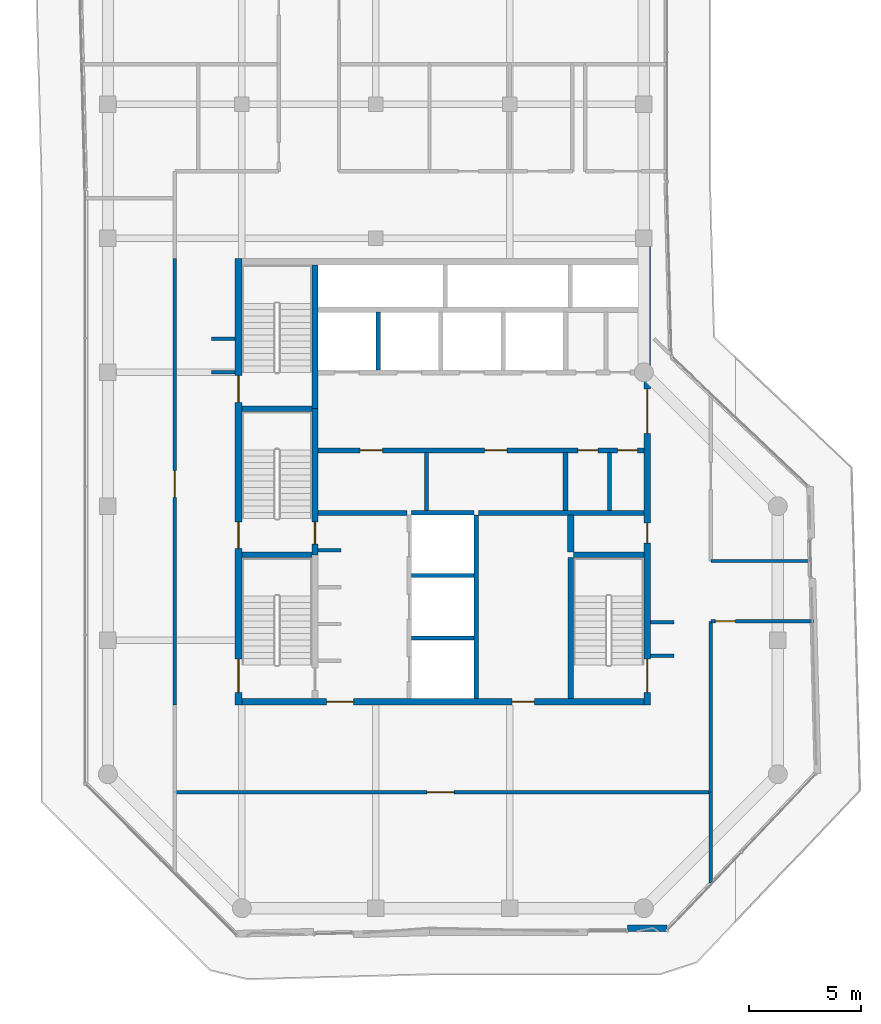
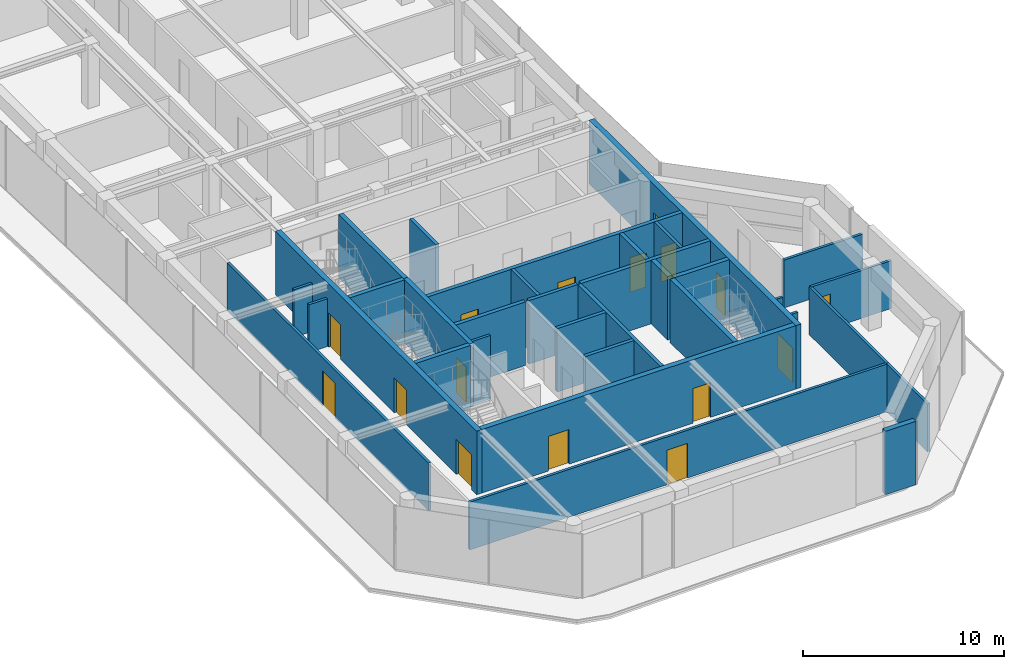
# One storey, part 16 of 20: 33 walls, 16 doors, 16 openings.
"""IFC4 building model written with IfcOpenShell, lengths in metres."""

from ifc_helpers import new_model, si_unit, direction, frame, frame_2d, origin, place, context, subcontext, project, spatial, rectangle, extrude, material, layer, layer_set, type_object, element, fill, save


model = new_model("IFC4")

# Units and contexts
model_context = context("Model", 3, precision=1e-05, world=origin(), true_north=direction((0.0, 1.0)))
body_context = subcontext(model_context, "Body", "Model", "MODEL_VIEW")
ifc_project = project(units=[si_unit("LENGTHUNIT", "METRE"), si_unit("AREAUNIT", "SQUARE_METRE"), si_unit("VOLUMEUNIT", "CUBIC_METRE"), si_unit("PLANEANGLEUNIT", "RADIAN"), si_unit("MASSUNIT", "GRAM", prefix="KILO")], contexts=[model_context])

# Site, building, storey
site_placement = place(None, origin())
site = spatial("IfcSite", under=ifc_project, at=site_placement, CompositionType="ELEMENT")
building_placement = place(site_placement, origin())
building = spatial("IfcBuilding", under=site, at=building_placement, Name="Welwitschia Terrace Campus", CompositionType="ELEMENT")
storey_placement = place(building_placement, frame((0.0, 0.0, 293.60009765625)))
storey = spatial("IfcBuildingStorey", under=building, at=storey_placement, Name="L65", CompositionType="ELEMENT", Elevation=293.60009765625)

# Walls
ifc_material_1 = material(Name="Concrete C32/40", Category="concrete")
ifc_layer_1 = layer(ifc_material_1, 0.175048828125)
ifc_layer_set_1 = layer_set([ifc_layer_1], Name="Concrete C32/40")
wall_type_1 = type_object("IfcWallType", Name="Core partition 175 Concrete C32/40", PredefinedType="PARTITIONING", material=ifc_layer_set_1)
for number, where, z_axis, x_axis, name in (
    (1, (14.27490234375, 13.800048828125, 0.0), (0.0, 0.0, 1.0), (0.0, 1.0, 0.0), "Core partition"),
    (2, (22.469970703125, 13.800048828125, 0.0), (0.0, 0.0, 1.0), (0.0, 1.0, 0.0), "Core partition"),
):
    element("IfcWall", number, at=place(storey_placement, frame(where, z_axis=z_axis, x_axis=x_axis)), inside=storey, type_object=wall_type_1, Name=name, PredefinedType="PARTITIONING", context=body_context, shape_type="SweptSolid", body=[
        extrude(rectangle(XDim=2.599853515625, YDim=0.175048828125, at=frame_2d((1.2998046875, 0.0))), origin(), (0.0, 0.0, 1.0), 3.849853515625),
    ])
ifc_material_2 = material(Name="Concrete C32/40", Category="concrete")
ifc_layer_2 = layer(ifc_material_2, 0.22509765625)
ifc_layer_set_2 = layer_set([ifc_layer_2], Name="Concrete C32/40")
wall_type_2 = type_object("IfcWallType", Name="Core partition 225 Concrete C32/40", PredefinedType="PARTITIONING", material=ifc_layer_set_2)
wall_1_placement = place(storey_placement, frame((9.39990234375, 13.699951171875, 0.0), z_axis=(0.0, 0.0, 1.0), x_axis=(1.0, 0.0, 0.0)))
element("IfcWall", 3, at=wall_1_placement, inside=storey, type_object=wall_type_2, Name="Core partition", PredefinedType="PARTITIONING", context=body_context, shape_type="SweptSolid", body=[
    extrude(rectangle(XDim=4.0, YDim=0.22509765625, at=frame_2d((2.0, 0.0))), origin(), (0.0, 0.0, 1.0), 3.849853515625),
])
wall_2_placement = place(storey_placement, frame((16.60009765625, 13.699951171875, 0.0), z_axis=(0.0, 0.0, 1.0), x_axis=(1.0, 0.0, 0.0)))
element("IfcWall", 4, at=wall_2_placement, inside=storey, type_object=wall_type_2, Name="Core partition", PredefinedType="PARTITIONING", context=body_context, shape_type="SweptSolid", body=[
    extrude(rectangle(XDim=7.39990234375, YDim=0.22509765625, at=frame_2d((3.699951171875, 0.0))), origin(), (0.0, 0.0, 1.0), 3.849853515625),
])

# Wall, openings, doors
wall_3_placement = place(storey_placement, frame((9.39990234375, 16.5, 0.0), z_axis=(0.0, 0.0, 1.0), x_axis=(1.0, 0.0, 0.0)))
wall_3 = element("IfcWall", 5, at=wall_3_placement, inside=storey, type_object=wall_type_2, Name="Core partition", PredefinedType="PARTITIONING", context=body_context, shape_type="SweptSolid", body=[
    extrude(rectangle(XDim=14.60009765625, YDim=0.22509765625, at=frame_2d((7.300048828125, 0.0))), origin(), (0.0, 0.0, 1.0), 3.849853515625),
])
opening_1_placement = place(wall_3_placement, frame((1.89990234375, 0.0, 0.0)))
opening_1 = element("IfcOpeningElement", 6, at=opening_1_placement, cuts=wall_3, Name="Opening DR10", PredefinedType="OPENING", context=body_context, shape_type="SweptSolid", body=[
    extrude(rectangle(XDim=1.0, YDim=2.10009765625, at=frame_2d((0.5, 1.050048828125))), frame((0.0, 0.12255859375, 0.0), z_axis=(0.0, -1.0, 0.0), x_axis=(1.0, 0.0, 0.0)), (0.0, 0.0, 1.0), 0.2451171875),
])
opening_2_placement = place(wall_3_placement, frame((7.47509765625, 0.0, 0.0)))
opening_2 = element("IfcOpeningElement", 7, at=opening_2_placement, cuts=wall_3, Name="Opening DR10", PredefinedType="OPENING", context=body_context, shape_type="SweptSolid", body=[
    extrude(rectangle(XDim=1.0, YDim=2.10009765625, at=frame_2d((0.5, 1.050048828125))), frame((0.0, 0.12255859375, 0.0), z_axis=(0.0, -1.0, 0.0), x_axis=(1.0, 0.0, 0.0)), (0.0, 0.0, 1.0), 0.2451171875),
])
opening_3_placement = place(wall_3_placement, frame((11.6474609375, 0.0, 0.0)))
opening_3 = element("IfcOpeningElement", 8, at=opening_3_placement, cuts=wall_3, Name="Opening DR09", PredefinedType="OPENING", context=body_context, shape_type="SweptSolid", body=[
    extrude(rectangle(XDim=0.89990234375, YDim=2.10009765625, at=frame_2d((0.449951171875, 1.050048828125))), frame((0.0, 0.12255859375, 0.0), z_axis=(0.0, -1.0, 0.0), x_axis=(1.0, 0.0, 0.0)), (0.0, 0.0, 1.0), 0.2451171875),
])
opening_4_placement = place(wall_3_placement, frame((13.422607421875, 0.0, 0.0)))
opening_4 = element("IfcOpeningElement", 9, at=opening_4_placement, cuts=wall_3, Name="Opening DR09", PredefinedType="OPENING", context=body_context, shape_type="SweptSolid", body=[
    extrude(rectangle(XDim=0.89990234375, YDim=2.10009765625, at=frame_2d((0.449951171875, 1.050048828125))), frame((0.0, 0.12255859375, 0.0), z_axis=(0.0, -1.0, 0.0), x_axis=(1.0, 0.0, 0.0)), (0.0, 0.0, 1.0), 0.2451171875),
])
ifc_material_3 = material(Name="Steel S275", Category="steel")
door_type_1 = type_object("IfcDoorType", Name="Core door DR09", OperationType="SINGLE_SWING_LEFT", PredefinedType="DOOR", material=ifc_material_3)
door_1_placement = place(opening_3_placement, origin())
door_1 = element("IfcDoor", 10, at=door_1_placement, inside=storey, type_object=door_type_1, Name="Door EL1-D", OperationType="SINGLE_SWING_RIGHT", OverallHeight=2.10009765625, OverallWidth=0.89990234375, PredefinedType="DOOR", context=body_context, shape_type="SweptSolid", body=[
    extrude(rectangle(XDim=0.89990234375, YDim=2.10009765625, at=frame_2d((0.449951171875, 1.050048828125))), frame((0.0, 0.02490234375, 0.0), z_axis=(0.0, -1.0, 0.0), x_axis=(1.0, 0.0, 0.0)), (0.0, 0.0, 1.0), 0.050048828125),
])
fill(opening_3, door_1)
door_2_placement = place(opening_4_placement, origin())
door_2 = element("IfcDoor", 11, at=door_2_placement, inside=storey, type_object=door_type_1, Name="Door EL2-D", OperationType="SINGLE_SWING_RIGHT", OverallHeight=2.10009765625, OverallWidth=0.89990234375, PredefinedType="DOOR", context=body_context, shape_type="SweptSolid", body=[
    extrude(rectangle(XDim=0.89990234375, YDim=2.10009765625, at=frame_2d((0.449951171875, 1.050048828125))), frame((0.0, 0.02490234375, 0.0), z_axis=(0.0, -1.0, 0.0), x_axis=(1.0, 0.0, 0.0)), (0.0, 0.0, 1.0), 0.050048828125),
])
fill(opening_4, door_2)
ifc_material_4 = material(Name="Steel S275", Category="steel")
door_type_2 = type_object("IfcDoorType", Name="Core door DR10", OperationType="SINGLE_SWING_LEFT", PredefinedType="DOOR", material=ifc_material_4)
door_3_placement = place(opening_1_placement, origin())
door_3 = element("IfcDoor", 12, at=door_3_placement, inside=storey, type_object=door_type_2, Name="Door BAYL1-D", OperationType="SINGLE_SWING_LEFT", OverallHeight=2.10009765625, OverallWidth=1.0, PredefinedType="DOOR", context=body_context, shape_type="SweptSolid", body=[
    extrude(rectangle(XDim=1.0, YDim=2.10009765625, at=frame_2d((0.5, 1.050048828125))), frame((0.0, 0.02490234375, 0.0), z_axis=(0.0, -1.0, 0.0), x_axis=(1.0, 0.0, 0.0)), (0.0, 0.0, 1.0), 0.050048828125),
])
fill(opening_1, door_3)
door_4_placement = place(opening_2_placement, origin())
door_4 = element("IfcDoor", 13, at=door_4_placement, inside=storey, type_object=door_type_2, Name="Door BAYL2-D", OperationType="SINGLE_SWING_RIGHT", OverallHeight=2.10009765625, OverallWidth=1.0, PredefinedType="DOOR", context=body_context, shape_type="SweptSolid", body=[
    extrude(rectangle(XDim=1.0, YDim=2.10009765625, at=frame_2d((0.5, 1.050048828125))), frame((0.0, 0.02490234375, 0.0), z_axis=(0.0, -1.0, 0.0), x_axis=(1.0, 0.0, 0.0)), (0.0, 0.0, 1.0), 0.050048828125),
])
fill(opening_2, door_4)

# Walls
wall_4_placement = place(storey_placement, frame((20.5, 13.800048828125, 0.0), z_axis=(0.0, 0.0, 1.0), x_axis=(0.0, 1.0, 0.0)))
element("IfcWall", 14, at=wall_4_placement, inside=storey, type_object=wall_type_2, Name="Core partition", PredefinedType="PARTITIONING", context=body_context, shape_type="SweptSolid", body=[
    extrude(rectangle(XDim=2.599853515625, YDim=0.22509765625, at=frame_2d((1.2998046875, 0.0))), origin(), (0.0, 0.0, 1.0), 3.849853515625),
])
ifc_material_5 = material(Name="Concrete C32/40", Category="concrete")
ifc_layer_3 = layer(ifc_material_5, 0.27490234375)
ifc_layer_set_3 = layer_set([ifc_layer_3], Name="Concrete C32/40")
wall_type_3 = type_object("IfcWallType", Name="Core partition 275 Concrete C32/40", PredefinedType="PARTITIONING", material=ifc_layer_set_3)
wall_5_placement = place(storey_placement, frame((20.72509765625, 11.949951171875, 0.0), z_axis=(0.0, 0.0, 1.0), x_axis=(0.0, 1.0, 0.0)))
element("IfcWall", 15, at=wall_5_placement, inside=storey, type_object=wall_type_3, Name="Core partition", PredefinedType="PARTITIONING", context=body_context, shape_type="SweptSolid", body=[
    extrude(rectangle(XDim=1.650146484375, YDim=0.27490234375, at=frame_2d((0.8251953125, 0.0))), origin(), (0.0, 0.0, 1.0), 3.849853515625),
])
ifc_material_6 = material(Name="Concrete C50/60", Category="concrete")
ifc_layer_4 = layer(ifc_material_6, 0.14990234375)
ifc_layer_set_4 = layer_set([ifc_layer_4], Name="Concrete C50/60")
wall_type_4 = type_object("IfcWallType", Name="Core wall 150 Concrete C50/60", PredefinedType="SHEAR", material=ifc_layer_set_4)
wall_6_placement = place(storey_placement, frame((9.39990234375, 12.02490234375, 0.0), z_axis=(0.0, 0.0, 1.0), x_axis=(1.0, 0.0, 0.0)))
element("IfcWall", 16, at=wall_6_placement, inside=storey, type_object=wall_type_4, Name="Core wall", PredefinedType="SHEAR", context=body_context, shape_type="SweptSolid", body=[
    extrude(rectangle(XDim=1.050048828125, YDim=0.14990234375, at=frame_2d((0.52490234375, 0.0))), origin(), (0.0, 0.0, 1.0), 3.849853515625),
])
ifc_material_7 = material(Name="Concrete C50/60", Category="concrete")
ifc_layer_5 = layer(ifc_material_7, 0.199951171875)
ifc_layer_set_5 = layer_set([ifc_layer_5], Name="Concrete C50/60")
wall_type_5 = type_object("IfcWallType", Name="Core wall 200 Concrete C50/60", PredefinedType="SHEAR", material=ifc_layer_set_5)
for number, where, z_axis, x_axis, name in (
    (17, (13.60009765625, 8.10009765625, 0.0), (0.0, 0.0, 1.0), (1.0, 0.0, 0.0), "Core wall"),
    (18, (13.60009765625, 10.89990234375, 0.0), (0.0, 0.0, 1.0), (1.0, 0.0, 0.0), "Core wall"),
    (19, (13.60009765625, 13.699951171875, 0.0), (0.0, 0.0, 1.0), (1.0, 0.0, 0.0), "Core wall"),
):
    element("IfcWall", number, at=place(storey_placement, frame(where, z_axis=z_axis, x_axis=x_axis)), inside=storey, type_object=wall_type_5, Name=name, PredefinedType="SHEAR", context=body_context, shape_type="SweptSolid", body=[
        extrude(rectangle(XDim=2.7998046875, YDim=0.199951171875, at=frame_2d((1.39990234375, 0.0))), origin(), (0.0, 0.0, 1.0), 3.849853515625),
    ])
wall_7_placement = place(storey_placement, frame((16.5, 5.39990234375, 0.0), z_axis=(0.0, 0.0, 1.0), x_axis=(0.0, 1.0, 0.0)))
element("IfcWall", 20, at=wall_7_placement, inside=storey, type_object=wall_type_5, Name="Core wall", PredefinedType="SHEAR", context=body_context, shape_type="SweptSolid", body=[
    extrude(rectangle(XDim=8.2001953125, YDim=0.199951171875, at=frame_2d((4.10009765625, 0.0))), origin(), (0.0, 0.0, 1.0), 3.849853515625),
])
ifc_material_8 = material(Name="Concrete C50/60", Category="concrete")
ifc_layer_6 = layer(ifc_material_8, 0.25)
ifc_layer_set_6 = layer_set([ifc_layer_6], Name="Concrete C50/60")
wall_type_6 = type_object("IfcWallType", Name="Core wall 250 Concrete C50/60", PredefinedType="SHEAR", material=ifc_layer_set_6)
for number, where, z_axis, x_axis, name in (
    (21, (6.0, 11.824951171875, 0.0), (0.0, 0.0, 1.0), (1.0, 0.0, 0.0), "Core wall"),
    (22, (20.85009765625, 11.824951171875, 0.0), (0.0, 0.0, 1.0), (1.0, 0.0, 0.0), "Core wall"),
    (23, (6.0, 18.375, 0.0), (0.0, 0.0, 1.0), (1.0, 0.0, 0.0), "Core wall"),
):
    element("IfcWall", number, at=place(storey_placement, frame(where, z_axis=z_axis, x_axis=x_axis)), inside=storey, type_object=wall_type_6, Name=name, PredefinedType="SHEAR", context=body_context, shape_type="SweptSolid", body=[
        extrude(rectangle(XDim=3.14990234375, YDim=0.25, at=frame_2d((1.574951171875, 0.0))), origin(), (0.0, 0.0, 1.0), 3.849853515625),
    ])

# Wall, opening, door
wall_8_placement = place(storey_placement, frame((9.27490234375, 18.375, 0.0), z_axis=(0.0, 0.0, 1.0), x_axis=(0.0, -1.0, 0.0)))
wall_8 = element("IfcWall", 24, at=wall_8_placement, inside=storey, type_object=wall_type_6, Name="Core wall", PredefinedType="SHEAR", context=body_context, shape_type="SweptSolid", body=[
    extrude(rectangle(XDim=6.550048828125, YDim=0.25, at=frame_2d((3.27490234375, 0.0))), origin(), (0.0, 0.0, 1.0), 3.849853515625),
])
opening_5_placement = place(wall_8_placement, frame((5.074951171875, 0.0, 0.0)))
opening_5 = element("IfcOpeningElement", 25, at=opening_5_placement, cuts=wall_8, Name="Opening DS10", PredefinedType="OPENING", context=body_context, shape_type="SweptSolid", body=[
    extrude(rectangle(XDim=1.0, YDim=2.10009765625, at=frame_2d((0.5, 1.050048828125))), frame((0.0, 0.135009765625, 0.0), z_axis=(0.0, -1.0, 0.0), x_axis=(1.0, 0.0, 0.0)), (0.0, 0.0, 1.0), 0.27001953125),
])
ifc_material_9 = material(Name="Steel S275", Category="steel")
door_type_3 = type_object("IfcDoorType", Name="Core door DS10", OperationType="SINGLE_SWING_LEFT", PredefinedType="DOOR", material=ifc_material_9)
door_5_placement = place(opening_5_placement, origin())
door_5 = element("IfcDoor", 26, at=door_5_placement, inside=storey, type_object=door_type_3, Name="Door S3-FL", OperationType="SINGLE_SWING_RIGHT", OverallHeight=2.10009765625, OverallWidth=1.0, PredefinedType="DOOR", context=body_context, shape_type="SweptSolid", body=[
    extrude(rectangle(XDim=1.0, YDim=2.10009765625, at=frame_2d((0.5, 1.050048828125))), frame((0.0, 0.02490234375, 0.0), z_axis=(0.0, -1.0, 0.0), x_axis=(1.0, 0.0, 0.0)), (0.0, 0.0, 1.0), 0.050048828125),
])
fill(opening_5, door_5)

# Walls
wall_9_placement = place(storey_placement, frame((9.27490234375, 18.375, 0.0), z_axis=(0.0, 0.0, 1.0), x_axis=(0.0, 1.0, 0.0)))
element("IfcWall", 27, at=wall_9_placement, inside=storey, type_object=wall_type_6, Name="Core wall", PredefinedType="SHEAR", context=body_context, shape_type="SweptSolid", body=[
    extrude(rectangle(XDim=6.425048828125, YDim=0.25, at=frame_2d((3.21240234375, 0.0))), origin(), (0.0, 0.0, 1.0), 3.849853515625),
])
wall_10_placement = place(storey_placement, frame((20.72509765625, 5.39990234375, 0.0), z_axis=(0.0, 0.0, 1.0), x_axis=(0.0, 1.0, 0.0)))
element("IfcWall", 28, at=wall_10_placement, inside=storey, type_object=wall_type_6, Name="Core wall", PredefinedType="SHEAR", context=body_context, shape_type="SweptSolid", body=[
    extrude(rectangle(XDim=6.300048828125, YDim=0.25, at=frame_2d((3.14990234375, 0.0))), origin(), (0.0, 0.0, 1.0), 3.849853515625),
])

# Wall, openings, doors
ifc_material_10 = material(Name="Concrete C50/60", Category="concrete")
ifc_layer_7 = layer(ifc_material_10, 0.300048828125)
ifc_layer_set_7 = layer_set([ifc_layer_7], Name="Concrete C50/60")
wall_type_7 = type_object("IfcWallType", Name="Core wall 300 Concrete C50/60", PredefinedType="SHEAR", material=ifc_layer_set_7)
wall_11_placement = place(storey_placement, frame((5.85009765625, 5.10009765625, 0.0), z_axis=(0.0, 0.0, 1.0), x_axis=(0.0, 1.0, 0.0)))
wall_11 = element("IfcWall", 29, at=wall_11_placement, inside=storey, type_object=wall_type_7, Name="Core outer wall", PredefinedType="SHEAR", context=body_context, shape_type="SweptSolid", body=[
    extrude(rectangle(XDim=20.0, YDim=0.300048828125, at=frame_2d((10.0, 0.0))), origin(), (0.0, 0.0, 1.0), 3.849853515625),
])
opening_6_placement = place(wall_11_placement, frame((0.550048828125, 0.0, 0.0)))
opening_6 = element("IfcOpeningElement", 30, at=opening_6_placement, cuts=wall_11, Name="Opening DS15", PredefinedType="OPENING", context=body_context, shape_type="SweptSolid", body=[
    extrude(rectangle(XDim=1.5, YDim=2.10009765625, at=frame_2d((0.75, 1.050048828125))), frame((0.0, 0.159912109375, 0.0), z_axis=(0.0, -1.0, 0.0), x_axis=(1.0, 0.0, 0.0)), (0.0, 0.0, 1.0), 0.320068359375),
])
opening_7_placement = place(wall_11_placement, frame((7.0, 0.0, 0.0)))
opening_7 = element("IfcOpeningElement", 31, at=opening_7_placement, cuts=wall_11, Name="Opening DS12", PredefinedType="OPENING", context=body_context, shape_type="SweptSolid", body=[
    extrude(rectangle(XDim=1.199951171875, YDim=2.10009765625, at=frame_2d((0.60009765625, 1.050048828125))), frame((0.0, 0.159912109375, 0.0), z_axis=(0.0, -1.0, 0.0), x_axis=(1.0, 0.0, 0.0)), (0.0, 0.0, 1.0), 0.320068359375),
])
opening_8_placement = place(wall_11_placement, frame((13.550048828125, 0.0, 0.0)))
opening_8 = element("IfcOpeningElement", 32, at=opening_8_placement, cuts=wall_11, Name="Opening DS12", PredefinedType="OPENING", context=body_context, shape_type="SweptSolid", body=[
    extrude(rectangle(XDim=1.199951171875, YDim=2.10009765625, at=frame_2d((0.60009765625, 1.050048828125))), frame((0.0, 0.159912109375, 0.0), z_axis=(0.0, -1.0, 0.0), x_axis=(1.0, 0.0, 0.0)), (0.0, 0.0, 1.0), 0.320068359375),
])
ifc_material_11 = material(Name="Steel S275", Category="steel")
door_type_4 = type_object("IfcDoorType", Name="Core door DS12", OperationType="SINGLE_SWING_LEFT", PredefinedType="DOOR", material=ifc_material_11)
door_6_placement = place(opening_7_placement, origin())
door_6 = element("IfcDoor", 33, at=door_6_placement, inside=storey, type_object=door_type_4, Name="Door S3-out", OperationType="SINGLE_SWING_LEFT", OverallHeight=2.10009765625, OverallWidth=1.199951171875, PredefinedType="DOOR", context=body_context, shape_type="SweptSolid", body=[
    extrude(rectangle(XDim=1.199951171875, YDim=2.10009765625, at=frame_2d((0.60009765625, 1.050048828125))), frame((0.0, 0.02490234375, 0.0), z_axis=(0.0, -1.0, 0.0), x_axis=(1.0, 0.0, 0.0)), (0.0, 0.0, 1.0), 0.050048828125),
])
fill(opening_7, door_6)
door_7_placement = place(opening_8_placement, origin())
door_7 = element("IfcDoor", 34, at=door_7_placement, inside=storey, type_object=door_type_4, Name="Door S4-out", OperationType="SINGLE_SWING_RIGHT", OverallHeight=2.10009765625, OverallWidth=1.199951171875, PredefinedType="DOOR", context=body_context, shape_type="SweptSolid", body=[
    extrude(rectangle(XDim=1.199951171875, YDim=2.10009765625, at=frame_2d((0.60009765625, 1.050048828125))), frame((0.0, 0.02490234375, 0.0), z_axis=(0.0, -1.0, 0.0), x_axis=(1.0, 0.0, 0.0)), (0.0, 0.0, 1.0), 0.050048828125),
])
fill(opening_8, door_7)
ifc_material_12 = material(Name="Steel S275", Category="steel")
door_type_5 = type_object("IfcDoorType", Name="Core door DS15", OperationType="DOUBLE_DOOR_SINGLE_SWING", PredefinedType="DOOR", material=ifc_material_12)
door_8_placement = place(opening_6_placement, origin())
door_8 = element("IfcDoor", 35, at=door_8_placement, inside=storey, type_object=door_type_5, Name="Door S1-out", OperationType="DOUBLE_DOOR_SINGLE_SWING", OverallHeight=2.10009765625, OverallWidth=1.5, PredefinedType="DOOR", context=body_context, shape_type="SweptSolid", body=[
    extrude(rectangle(XDim=1.5, YDim=2.10009765625, at=frame_2d((0.75, 1.050048828125))), frame((0.0, 0.02490234375, 0.0), z_axis=(0.0, -1.0, 0.0), x_axis=(1.0, 0.0, 0.0)), (0.0, 0.0, 1.0), 0.050048828125),
])
fill(opening_6, door_8)

wall_12_placement = place(storey_placement, frame((24.14990234375, 25.655029296875, 0.0), z_axis=(0.0, 0.0, 1.0), x_axis=(0.0, -1.0, 0.0)))
wall_12 = element("IfcWall", 36, at=wall_12_placement, inside=storey, type_object=wall_type_7, Name="Core outer wall", PredefinedType="SHEAR", context=body_context, shape_type="SweptSolid", body=[
    extrude(rectangle(XDim=20.554931640625, YDim=0.300048828125, at=frame_2d((10.27734375, 0.0))), origin(), (0.0, 0.0, 1.0), 3.849853515625),
])
opening_9_placement = place(wall_12_placement, frame((18.5048828125, 0.0, 0.0)))
opening_9 = element("IfcOpeningElement", 37, at=opening_9_placement, cuts=wall_12, Name="Opening DS15", PredefinedType="OPENING", context=body_context, shape_type="SweptSolid", body=[
    extrude(rectangle(XDim=1.5, YDim=2.10009765625, at=frame_2d((0.75, 1.050048828125))), frame((0.0, 0.159912109375, 0.0), z_axis=(0.0, -1.0, 0.0), x_axis=(1.0, 0.0, 0.0)), (0.0, 0.0, 1.0), 0.320068359375),
])
opening_10_placement = place(wall_12_placement, frame((12.405029296875, 0.0, 0.0)))
opening_10 = element("IfcOpeningElement", 38, at=opening_10_placement, cuts=wall_12, Name="Opening DR09", PredefinedType="OPENING", context=body_context, shape_type="SweptSolid", body=[
    extrude(rectangle(XDim=0.89990234375, YDim=2.10009765625, at=frame_2d((0.449951171875, 1.050048828125))), frame((0.0, 0.159912109375, 0.0), z_axis=(0.0, -1.0, 0.0), x_axis=(1.0, 0.0, 0.0)), (0.0, 0.0, 1.0), 0.320068359375),
])
opening_11_placement = place(wall_12_placement, frame((6.405029296875, 0.0, 0.0)))
opening_11 = element("IfcOpeningElement", 39, at=opening_11_placement, cuts=wall_12, Name="Opening DL20", PredefinedType="OPENING", context=body_context, shape_type="SweptSolid", body=[
    extrude(rectangle(XDim=2.0, YDim=2.10009765625, at=frame_2d((1.0, 1.050048828125))), frame((0.0, 0.159912109375, 0.0), z_axis=(0.0, -1.0, 0.0), x_axis=(1.0, 0.0, 0.0)), (0.0, 0.0, 1.0), 0.320068359375),
])
ifc_material_13 = material(Name="Steel S275", Category="steel")
door_type_6 = type_object("IfcDoorType", Name="Core door DL20", OperationType="DOUBLE_DOOR_SINGLE_SWING", PredefinedType="DOOR", material=ifc_material_13)
door_9_placement = place(opening_11_placement, origin())
door_9 = element("IfcDoor", 40, at=door_9_placement, inside=storey, type_object=door_type_6, Name="Door LOBBY-out", OperationType="DOUBLE_DOOR_SINGLE_SWING", OverallHeight=2.10009765625, OverallWidth=2.0, PredefinedType="DOOR", context=body_context, shape_type="SweptSolid", body=[
    extrude(rectangle(XDim=2.0, YDim=2.10009765625, at=frame_2d((1.0, 1.050048828125))), frame((0.0, 0.02490234375, 0.0), z_axis=(0.0, -1.0, 0.0), x_axis=(1.0, 0.0, 0.0)), (0.0, 0.0, 1.0), 0.050048828125),
])
fill(opening_11, door_9)
door_10_placement = place(opening_10_placement, origin())
door_10 = element("IfcDoor", 41, at=door_10_placement, inside=storey, type_object=door_type_1, Name="Door F1B-out", OperationType="SINGLE_SWING_RIGHT", OverallHeight=2.10009765625, OverallWidth=0.89990234375, PredefinedType="DOOR", context=body_context, shape_type="SweptSolid", body=[
    extrude(rectangle(XDim=0.89990234375, YDim=2.10009765625, at=frame_2d((0.449951171875, 1.050048828125))), frame((0.0, 0.02490234375, 0.0), z_axis=(0.0, -1.0, 0.0), x_axis=(1.0, 0.0, 0.0)), (0.0, 0.0, 1.0), 0.050048828125),
])
fill(opening_10, door_10)
door_11_placement = place(opening_9_placement, origin())
door_11 = element("IfcDoor", 42, at=door_11_placement, inside=storey, type_object=door_type_5, Name="Door S2-out", OperationType="DOUBLE_DOOR_SINGLE_SWING", OverallHeight=2.10009765625, OverallWidth=1.5, PredefinedType="DOOR", context=body_context, shape_type="SweptSolid", body=[
    extrude(rectangle(XDim=1.5, YDim=2.10009765625, at=frame_2d((0.75, 1.050048828125))), frame((0.0, 0.02490234375, 0.0), z_axis=(0.0, -1.0, 0.0), x_axis=(1.0, 0.0, 0.0)), (0.0, 0.0, 1.0), 0.050048828125),
])
fill(opening_9, door_11)

wall_13_placement = place(storey_placement, frame((24.0, 5.25, 0.0), z_axis=(0.0, 0.0, 1.0), x_axis=(-1.0, 0.0, 0.0)))
wall_13 = element("IfcWall", 43, at=wall_13_placement, inside=storey, type_object=wall_type_7, Name="Core outer wall", PredefinedType="SHEAR", context=body_context, shape_type="SweptSolid", body=[
    extrude(rectangle(XDim=18.0, YDim=0.300048828125, at=frame_2d((9.0, 0.0))), origin(), (0.0, 0.0, 1.0), 3.849853515625),
])
opening_12_placement = place(wall_13_placement, frame((13.0, 0.0, 0.0)))
opening_12 = element("IfcOpeningElement", 44, at=opening_12_placement, cuts=wall_13, Name="Opening DF12", PredefinedType="OPENING", context=body_context, shape_type="SweptSolid", body=[
    extrude(rectangle(XDim=1.199951171875, YDim=2.10009765625, at=frame_2d((0.60009765625, 1.050048828125))), frame((0.0, 0.159912109375, 0.0), z_axis=(0.0, -1.0, 0.0), x_axis=(1.0, 0.0, 0.0)), (0.0, 0.0, 1.0), 0.320068359375),
])
opening_13_placement = place(wall_13_placement, frame((4.89990234375, 0.0, 0.0)))
opening_13 = element("IfcOpeningElement", 45, at=opening_13_placement, cuts=wall_13, Name="Opening DR10", PredefinedType="OPENING", context=body_context, shape_type="SweptSolid", body=[
    extrude(rectangle(XDim=1.0, YDim=2.10009765625, at=frame_2d((0.5, 1.050048828125))), frame((0.0, 0.159912109375, 0.0), z_axis=(0.0, -1.0, 0.0), x_axis=(1.0, 0.0, 0.0)), (0.0, 0.0, 1.0), 0.320068359375),
])
ifc_material_14 = material(Name="Steel S275", Category="steel")
door_type_7 = type_object("IfcDoorType", Name="Core door DF12", OperationType="SINGLE_SWING_LEFT", PredefinedType="DOOR", material=ifc_material_14)
door_12_placement = place(opening_12_placement, origin())
door_12 = element("IfcDoor", 46, at=door_12_placement, inside=storey, type_object=door_type_7, Name="Door FL-out", OperationType="SINGLE_SWING_RIGHT", OverallHeight=2.10009765625, OverallWidth=1.199951171875, PredefinedType="DOOR", context=body_context, shape_type="SweptSolid", body=[
    extrude(rectangle(XDim=1.199951171875, YDim=2.10009765625, at=frame_2d((0.60009765625, 1.050048828125))), frame((0.0, 0.02490234375, 0.0), z_axis=(0.0, -1.0, 0.0), x_axis=(1.0, 0.0, 0.0)), (0.0, 0.0, 1.0), 0.050048828125),
])
fill(opening_12, door_12)
door_13_placement = place(opening_13_placement, origin())
door_13 = element("IfcDoor", 47, at=door_13_placement, inside=storey, type_object=door_type_2, Name="Door F1-out", OperationType="SINGLE_SWING_LEFT", OverallHeight=2.10009765625, OverallWidth=1.0, PredefinedType="DOOR", context=body_context, shape_type="SweptSolid", body=[
    extrude(rectangle(XDim=1.0, YDim=2.10009765625, at=frame_2d((0.5, 1.050048828125))), frame((0.0, 0.02490234375, 0.0), z_axis=(0.0, -1.0, 0.0), x_axis=(1.0, 0.0, 0.0)), (0.0, 0.0, 1.0), 0.050048828125),
])
fill(opening_13, door_13)

# Wall, opening, door
ifc_material_15 = material(Name="Gypsum board on steel studs", Category="steel")
ifc_layer_8 = layer(ifc_material_15, 0.14990234375)
ifc_layer_set_8 = layer_set([ifc_layer_8], Name="Gypsum board on steel studs")
wall_type_8 = type_object("IfcWallType", Name="Corridor partition 150 EI 30", PredefinedType="PARTITIONING", material=ifc_layer_set_8)
wall_14_placement = place(storey_placement, frame((3.0, 5.10009765625, 0.0), z_axis=(0.0, 0.0, 1.0), x_axis=(0.0, 1.0, 0.0)))
wall_14 = element("IfcWall", 48, at=wall_14_placement, inside=storey, type_object=wall_type_8, Name="Partition", PredefinedType="PARTITIONING", context=body_context, shape_type="SweptSolid", body=[
    extrude(rectangle(XDim=20.0, YDim=0.14990234375, at=frame_2d((10.0, 0.0))), origin(), (0.0, 0.0, 1.0), 2.89990234375),
])
opening_14_placement = place(wall_14_placement, frame((9.300048828125, 0.0, 0.0)))
opening_14 = element("IfcOpeningElement", 49, at=opening_14_placement, cuts=wall_14, Name="Opening DI12", PredefinedType="OPENING", context=body_context, shape_type="SweptSolid", body=[
    extrude(rectangle(XDim=1.199951171875, YDim=2.10009765625, at=frame_2d((0.60009765625, 1.050048828125))), frame((0.0, 0.0849609375, 0.0), z_axis=(0.0, -1.0, 0.0), x_axis=(1.0, 0.0, 0.0)), (0.0, 0.0, 1.0), 0.169921875),
])
ifc_material_16 = material(Name="Timber veneered door", Category="wood")
door_type_8 = type_object("IfcDoorType", Name="Interior door DI12", OperationType="NOTDEFINED", PredefinedType="DOOR", material=ifc_material_16)
door_14_placement = place(opening_14_placement, origin())
door_14 = element("IfcDoor", 50, at=door_14_placement, inside=storey, type_object=door_type_8, Name="Door L65 1152", OperationType="SINGLE_SWING_LEFT", OverallHeight=2.10009765625, OverallWidth=1.199951171875, PredefinedType="DOOR", context=body_context, shape_type="SweptSolid", body=[
    extrude(rectangle(XDim=1.199951171875, YDim=2.10009765625, at=frame_2d((0.60009765625, 1.050048828125))), frame((0.0, 0.02490234375, 0.0), z_axis=(0.0, -1.0, 0.0), x_axis=(1.0, 0.0, 0.0)), (0.0, 0.0, 1.0), 0.050048828125),
])
fill(opening_14, door_14)

# Walls
for number, where, z_axis, x_axis, name in (
    (51, (4.64990234375, 20.0, 0.0), (0.0, 0.0, 1.0), (1.0, 0.0, 0.0), "Partition"),
    (52, (4.64990234375, 21.5, 0.0), (0.0, 0.0, 1.0), (1.0, 0.0, 0.0), "Partition"),
    (53, (24.300048828125, 7.300048828125, 0.0), (0.0, 0.0, 1.0), (1.0, 0.0, 0.0), "Partition"),
    (54, (24.300048828125, 8.800048828125, 0.0), (0.0, 0.0, 1.0), (1.0, 0.0, 0.0), "Partition"),
):
    element("IfcWall", number, at=place(storey_placement, frame(where, z_axis=z_axis, x_axis=x_axis)), inside=storey, type_object=wall_type_8, Name=name, PredefinedType="PARTITIONING", context=body_context, shape_type="SweptSolid", body=[
        extrude(rectangle(XDim=1.050048828125, YDim=0.14990234375, at=frame_2d((0.52490234375, 0.0))), origin(), (0.0, 0.0, 1.0), 2.89990234375),
    ])
wall_15_placement = place(storey_placement, frame((27.0, -2.8798828125, 0.0), z_axis=(0.0, 0.0, 1.0), x_axis=(0.0, 1.0, 0.0)))
element("IfcWall", 55, at=wall_15_placement, inside=storey, type_object=wall_type_8, Name="Partition", PredefinedType="PARTITIONING", context=body_context, shape_type="SweptSolid", body=[
    extrude(rectangle(XDim=4.079833984375, YDim=0.14990234375, at=frame_2d((2.0400390625, 0.0))), origin(), (0.0, 0.0, 1.0), 2.89990234375),
])

# Wall, opening, door
wall_16_placement = place(storey_placement, frame((27.0, 1.199951171875, 0.0), z_axis=(0.0, 0.0, 1.0), x_axis=(-1.0, 0.0, 0.0)))
wall_16 = element("IfcWall", 56, at=wall_16_placement, inside=storey, type_object=wall_type_8, Name="Partition", PredefinedType="PARTITIONING", context=body_context, shape_type="SweptSolid", body=[
    extrude(rectangle(XDim=24.0, YDim=0.14990234375, at=frame_2d((12.0, 0.0))), origin(), (0.0, 0.0, 1.0), 2.89990234375),
])
opening_15_placement = place(wall_16_placement, frame((11.5, 0.0, 0.0)))
opening_15 = element("IfcOpeningElement", 57, at=opening_15_placement, cuts=wall_16, Name="Opening DI12", PredefinedType="OPENING", context=body_context, shape_type="SweptSolid", body=[
    extrude(rectangle(XDim=1.199951171875, YDim=2.10009765625, at=frame_2d((0.60009765625, 1.050048828125))), frame((0.0, 0.0849609375, 0.0), z_axis=(0.0, -1.0, 0.0), x_axis=(1.0, 0.0, 0.0)), (0.0, 0.0, 1.0), 0.169921875),
])
door_15_placement = place(opening_15_placement, origin())
door_15 = element("IfcDoor", 58, at=door_15_placement, inside=storey, type_object=door_type_8, Name="Door L65 1165", OperationType="SINGLE_SWING_RIGHT", OverallHeight=2.10009765625, OverallWidth=1.199951171875, PredefinedType="DOOR", context=body_context, shape_type="SweptSolid", body=[
    extrude(rectangle(XDim=1.199951171875, YDim=2.10009765625, at=frame_2d((0.60009765625, 1.050048828125))), frame((0.0, 0.02490234375, 0.0), z_axis=(0.0, -1.0, 0.0), x_axis=(1.0, 0.0, 0.0)), (0.0, 0.0, 1.0), 0.050048828125),
])
fill(opening_15, door_15)

# Walls
wall_17_placement = place(storey_placement, frame((27.0, 1.199951171875, 0.0), z_axis=(0.0, 0.0, 1.0), x_axis=(0.0, 1.0, 0.0)))
element("IfcWall", 59, at=wall_17_placement, inside=storey, type_object=wall_type_8, Name="Partition", PredefinedType="PARTITIONING", context=body_context, shape_type="SweptSolid", body=[
    extrude(rectangle(XDim=7.650146484375, YDim=0.14990234375, at=frame_2d((3.8251953125, 0.0))), origin(), (0.0, 0.0, 1.0), 2.89990234375),
])
wall_18_placement = place(storey_placement, frame((27.0, 11.550048828125, 0.0), z_axis=(0.0, 0.0, 1.0), x_axis=(1.0, 0.0, 0.0)))
element("IfcWall", 60, at=wall_18_placement, inside=storey, type_object=wall_type_8, Name="Partition", PredefinedType="PARTITIONING", context=body_context, shape_type="SweptSolid", body=[
    extrude(rectangle(XDim=4.536865234375, YDim=0.14990234375, at=frame_2d((2.2685546875, 0.0))), origin(), (0.0, 0.0, 1.0), 2.89990234375),
])

# Wall, opening, door
wall_19_placement = place(storey_placement, frame((31.607421875, 8.85009765625, 0.0), z_axis=(0.0, 0.0, 1.0), x_axis=(-1.0, 0.0, 0.0)))
wall_19 = element("IfcWall", 61, at=wall_19_placement, inside=storey, type_object=wall_type_8, Name="Partition", PredefinedType="PARTITIONING", context=body_context, shape_type="SweptSolid", body=[
    extrude(rectangle(XDim=4.607421875, YDim=0.14990234375, at=frame_2d((2.3037109375, 0.0))), origin(), (0.0, 0.0, 1.0), 2.89990234375),
])
opening_16_placement = place(wall_19_placement, frame((3.507568359375, 0.0, 0.0)))
opening_16 = element("IfcOpeningElement", 62, at=opening_16_placement, cuts=wall_19, Name="Opening DI09", PredefinedType="OPENING", context=body_context, shape_type="SweptSolid", body=[
    extrude(rectangle(XDim=0.89990234375, YDim=2.10009765625, at=frame_2d((0.449951171875, 1.050048828125))), frame((0.0, 0.0849609375, 0.0), z_axis=(0.0, -1.0, 0.0), x_axis=(1.0, 0.0, 0.0)), (0.0, 0.0, 1.0), 0.169921875),
])
ifc_material_17 = material(Name="Timber veneered door", Category="wood")
door_type_9 = type_object("IfcDoorType", Name="Interior door DI09", OperationType="NOTDEFINED", PredefinedType="DOOR", material=ifc_material_17)
door_16_placement = place(opening_16_placement, origin())
door_16 = element("IfcDoor", 63, at=door_16_placement, inside=storey, type_object=door_type_9, Name="Door L65 1167", OperationType="SINGLE_SWING_RIGHT", OverallHeight=2.10009765625, OverallWidth=0.89990234375, PredefinedType="DOOR", context=body_context, shape_type="SweptSolid", body=[
    extrude(rectangle(XDim=0.89990234375, YDim=2.10009765625, at=frame_2d((0.449951171875, 1.050048828125))), frame((0.0, 0.02490234375, 0.0), z_axis=(0.0, -1.0, 0.0), x_axis=(1.0, 0.0, 0.0)), (0.0, 0.0, 1.0), 0.050048828125),
])
fill(opening_16, door_16)

# Walls
ifc_material_18 = material(Name="Concrete C40/50", Category="concrete")
ifc_layer_9 = layer(ifc_material_18, 0.300048828125)
ifc_layer_set_9 = layer_set([ifc_layer_9], Name="Concrete C40/50")
wall_type_9 = type_object("IfcWallType", Name="Mass wall 300", PredefinedType="SOLIDWALL", material=ifc_layer_set_9)
wall_20_placement = place(storey_placement, frame((23.273193359375, -4.9013671875, 0.0), z_axis=(0.0, 0.0, 1.0), x_axis=(1.0, 0.0, 0.0)))
element("IfcWall", 64, at=wall_20_placement, inside=storey, type_object=wall_type_9, Name="Mass wall L65.4.1", PredefinedType="SOLIDWALL", context=body_context, shape_type="SweptSolid", body=[
    extrude(rectangle(XDim=1.754150390625, YDim=0.300048828125, at=frame_2d((0.876953125, 0.0))), origin(), (0.0, 0.0, 1.0), 3.849853515625),
])
ifc_material_19 = material(Name="Concrete C32/40", Category="concrete")
ifc_layer_10 = layer(ifc_material_19, 0.199951171875)
ifc_layer_set_10 = layer_set([ifc_layer_10], Name="Concrete C32/40")
wall_type_10 = type_object("IfcWallType", Name="Shaft wall 200 Concrete C32/40", PredefinedType="SOLIDWALL", material=ifc_layer_set_10)
wall_21_placement = place(storey_placement, frame((12.10009765625, 20.10009765625, 0.0), z_axis=(0.0, 0.0, 1.0), x_axis=(0.0, 1.0, 0.0)))
element("IfcWall", 65, at=wall_21_placement, inside=storey, type_object=wall_type_10, Name="Shaft wall", PredefinedType="SOLIDWALL", context=body_context, shape_type="SweptSolid", body=[
    extrude(rectangle(XDim=2.599853515625, YDim=0.199951171875, at=frame_2d((1.2998046875, 0.0))), origin(), (0.0, 0.0, 1.0), 3.849853515625),
])

save(model, "model.ifc")
